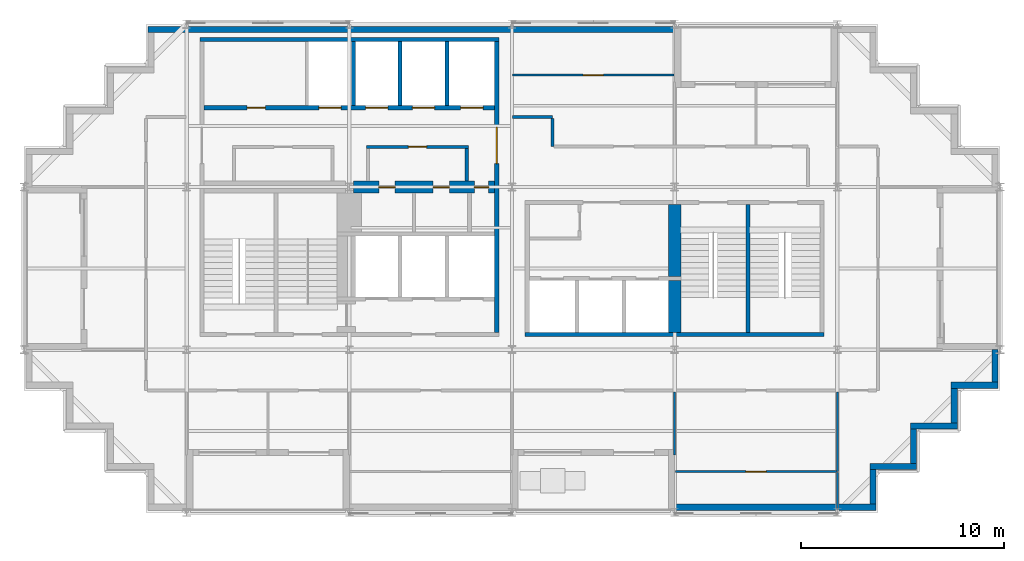
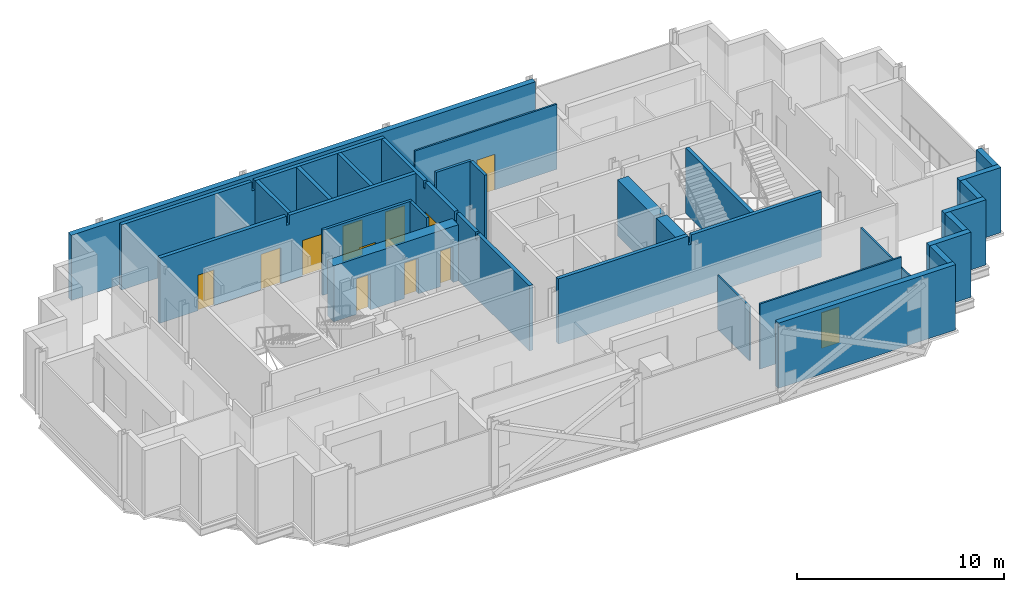
# One storey, part 6 of 10: 29 walls, 12 doors, 12 openings.
"""IFC4 building model written with IfcOpenShell, lengths in metres."""

from ifc_helpers import new_model, si_unit, direction, frame, frame_2d, origin, place, context, subcontext, project, spatial, polyline, rectangle, outline, extrude, material, layer, layer_set, type_object, element, fill, save


model = new_model("IFC4")

# Units and contexts
model_context = context("Model", 3, precision=1e-05, world=origin(), true_north=direction((0.0, 1.0)))
body_context = subcontext(model_context, "Body", "Model", "MODEL_VIEW")
ifc_project = project(units=[si_unit("LENGTHUNIT", "METRE"), si_unit("AREAUNIT", "SQUARE_METRE"), si_unit("VOLUMEUNIT", "CUBIC_METRE"), si_unit("PLANEANGLEUNIT", "RADIAN"), si_unit("MASSUNIT", "GRAM", prefix="KILO")], contexts=[model_context])

# Site, building, storey
site_placement = place(None, origin())
site = spatial("IfcSite", under=ifc_project, at=site_placement, CompositionType="ELEMENT")
building_placement = place(site_placement, origin())
building = spatial("IfcBuilding", under=site, at=building_placement, Name="Immortelle Media Tower", CompositionType="ELEMENT")
storey_placement = place(building_placement, frame((0.0, 0.0, 263.0)))
storey = spatial("IfcBuildingStorey", under=building, at=storey_placement, Name="L57", CompositionType="ELEMENT", Elevation=263.0)

# Wall, openings, doors
ifc_material_1 = material(Name="Fire-rated masonry blockwork", Category="masonry")
ifc_layer_1 = layer(ifc_material_1, 0.60009765625)
ifc_layer_set_1 = layer_set([ifc_layer_1], Name="Fire-rated masonry blockwork")
wall_type_1 = type_object("IfcWallType", Name="Core grid-line wall 600", PredefinedType="PARTITIONING", material=ifc_layer_set_1)
wall_1_placement = place(storey_placement, frame((16.195556640625, 16.0, 0.0), z_axis=(0.0, 0.0, 1.0), x_axis=(1.0, 0.0, 0.0)))
wall_1 = element("IfcWall", 1, at=wall_1_placement, inside=storey, type_object=wall_type_1, Name="Core grid-line wall SW", PredefinedType="PARTITIONING", context=body_context, shape_type="SweptSolid", body=[
    extrude(rectangle(XDim=6.954345703125, YDim=0.60009765625, at=frame_2d((3.47705078125, 0.0))), origin(), (0.0, 0.0, 1.0), 3.30810546875),
])
opening_1_placement = place(wall_1_placement, frame((1.25439453125, 0.0, 0.0)))
opening_1 = element("IfcOpeningElement", 2, at=opening_1_placement, cuts=wall_1, Name="Opening X2-K010", PredefinedType="OPENING", context=body_context, shape_type="SweptSolid", body=[
    extrude(rectangle(XDim=0.800048828125, YDim=2.10009765625, at=frame_2d((0.39990234375, 1.050048828125))), frame((0.0, 0.31005859375, 0.0), z_axis=(0.0, -1.0, 0.0), x_axis=(1.0, 0.0, 0.0)), (0.0, 0.0, 1.0), 0.6201171875),
])
opening_2_placement = place(wall_1_placement, frame((4.7294921875, 0.0, 0.0), z_axis=(0.0, 0.0, 1.0), x_axis=(-1.0, 0.0, 0.0)))
opening_2 = element("IfcOpeningElement", 3, at=opening_2_placement, cuts=wall_1, Name="Opening X2-K015", PredefinedType="OPENING", context=body_context, shape_type="SweptSolid", body=[
    extrude(rectangle(XDim=0.800048828125, YDim=2.10009765625, at=frame_2d((0.39990234375, 1.050048828125))), frame((0.0, 0.31005859375, 0.0), z_axis=(0.0, -1.0, 0.0), x_axis=(1.0, 0.0, 0.0)), (0.0, 0.0, 1.0), 0.6201171875),
])
opening_3_placement = place(wall_1_placement, frame((6.654541015625, 0.0, 0.0), z_axis=(0.0, 0.0, 1.0), x_axis=(-1.0, 0.0, 0.0)))
opening_3 = element("IfcOpeningElement", 4, at=opening_3_placement, cuts=wall_1, Name="Opening X2-K018", PredefinedType="OPENING", context=body_context, shape_type="SweptSolid", body=[
    extrude(rectangle(XDim=0.699951171875, YDim=2.10009765625, at=frame_2d((0.35009765625, 1.050048828125))), frame((0.0, 0.31005859375, 0.0), z_axis=(0.0, -1.0, 0.0), x_axis=(1.0, 0.0, 0.0)), (0.0, 0.0, 1.0), 0.6201171875),
])
ifc_material_2 = material(Name="Galvanised steel door leaf and frame ASTM A653", Category="steel")
door_type_1 = type_object("IfcDoorType", Name="Service door 700 x 2100", OperationType="NOTDEFINED", PredefinedType="NOTDEFINED", material=ifc_material_2)
door_1_placement = place(opening_3_placement, origin())
door_1 = element("IfcDoor", 5, at=door_1_placement, inside=storey, type_object=door_type_1, Name="Service X2-K018", OperationType="SINGLE_SWING_RIGHT", OverallHeight=2.10009765625, OverallWidth=0.699951171875, PredefinedType="NOTDEFINED", context=body_context, shape_type="SweptSolid", body=[
    extrude(rectangle(XDim=0.699951171875, YDim=2.10009765625, at=frame_2d((0.35009765625, 1.050048828125))), frame((0.0, 0.02490234375, 0.0), z_axis=(0.0, -1.0, 0.0), x_axis=(1.0, 0.0, 0.0)), (0.0, 0.0, 1.0), 0.050048828125),
])
fill(opening_3, door_1)
ifc_material_3 = material(Name="Timber", Category="wood")
door_type_2 = type_object("IfcDoorType", Name="Toilet door 800 x 2100", OperationType="NOTDEFINED", PredefinedType="NOTDEFINED", material=ifc_material_3)
door_2_placement = place(opening_1_placement, origin())
door_2 = element("IfcDoor", 6, at=door_2_placement, inside=storey, type_object=door_type_2, Name="Toilet X2-K010", OperationType="SINGLE_SWING_LEFT", OverallHeight=2.10009765625, OverallWidth=0.800048828125, PredefinedType="NOTDEFINED", context=body_context, shape_type="SweptSolid", body=[
    extrude(rectangle(XDim=0.800048828125, YDim=2.10009765625, at=frame_2d((0.39990234375, 1.050048828125))), frame((0.0, 0.02490234375, 0.0), z_axis=(0.0, -1.0, 0.0), x_axis=(1.0, 0.0, 0.0)), (0.0, 0.0, 1.0), 0.050048828125),
])
fill(opening_1, door_2)
door_3_placement = place(opening_2_placement, origin())
door_3 = element("IfcDoor", 7, at=door_3_placement, inside=storey, type_object=door_type_2, Name="Toilet X2-K015", OperationType="SINGLE_SWING_LEFT", OverallHeight=2.10009765625, OverallWidth=0.800048828125, PredefinedType="NOTDEFINED", context=body_context, shape_type="SweptSolid", body=[
    extrude(rectangle(XDim=0.800048828125, YDim=2.10009765625, at=frame_2d((0.39990234375, 1.050048828125))), frame((0.0, 0.02490234375, 0.0), z_axis=(0.0, -1.0, 0.0), x_axis=(1.0, 0.0, 0.0)), (0.0, 0.0, 1.0), 0.050048828125),
])
fill(opening_2, door_3)

# Wall, opening, door
ifc_material_4 = material(Name="Fire-rated gypsum board", Category="gypsum")
ifc_layer_2 = layer(ifc_material_4, 0.02490234375)
ifc_material_5 = material(Name="Steel ASTM A653 SS Gr 50 stud frame with mineral wool", Category="steel")
ifc_layer_3 = layer(ifc_material_5, 0.10009765625)
ifc_layer_4 = layer(ifc_material_4, 0.02490234375)
ifc_layer_set_2 = layer_set([ifc_layer_2, ifc_layer_3, ifc_layer_4], Name="Steel ASTM A653 SS Gr 50 stud frame with mineral wool")
wall_type_2 = type_object("IfcWallType", Name="Core partition 150", PredefinedType="PARTITIONING", material=ifc_layer_set_2)
wall_2_placement = place(storey_placement, frame((16.85009765625, 17.97509765625, 0.0), z_axis=(0.0, 0.0, 1.0), x_axis=(1.0, 0.0, 0.0)))
wall_2 = element("IfcWall", 8, at=wall_2_placement, inside=storey, type_object=wall_type_2, Name="Core partition SW", PredefinedType="PARTITIONING", context=body_context, shape_type="SweptSolid", body=[
    extrude(rectangle(XDim=5.0, YDim=0.14990234375, at=frame_2d((2.5, 0.0))), origin(), (0.0, 0.0, 1.0), 3.85009765625),
])
opening_4_placement = place(wall_2_placement, frame((2.949951171875, 0.0, 0.0), z_axis=(0.0, 0.0, 1.0), x_axis=(-1.0, 0.0, 0.0)))
opening_4 = element("IfcOpeningElement", 9, at=opening_4_placement, cuts=wall_2, Name="Opening X2-K011", PredefinedType="OPENING", context=body_context, shape_type="SweptSolid", body=[
    extrude(rectangle(XDim=0.89990234375, YDim=2.10009765625, at=frame_2d((0.449951171875, 1.050048828125))), frame((0.0, 0.0849609375, 0.0), z_axis=(0.0, -1.0, 0.0), x_axis=(1.0, 0.0, 0.0)), (0.0, 0.0, 1.0), 0.169921875),
])
door_type_3 = type_object("IfcDoorType", Name="Room door 900 x 2100", OperationType="NOTDEFINED", PredefinedType="NOTDEFINED", material=ifc_material_3)
door_4_placement = place(opening_4_placement, origin())
door_4 = element("IfcDoor", 10, at=door_4_placement, inside=storey, type_object=door_type_3, Name="Room X2-K011", OperationType="SINGLE_SWING_RIGHT", OverallHeight=2.10009765625, OverallWidth=0.89990234375, PredefinedType="NOTDEFINED", context=body_context, shape_type="SweptSolid", body=[
    extrude(rectangle(XDim=0.89990234375, YDim=2.10009765625, at=frame_2d((0.449951171875, 1.050048828125))), frame((0.0, 0.02490234375, 0.0), z_axis=(0.0, -1.0, 0.0), x_axis=(1.0, 0.0, 0.0)), (0.0, 0.0, 1.0), 0.050048828125),
])
fill(opening_4, door_4)

# Walls
wall_3_placement = place(storey_placement, frame((21.77490234375, 16.300048828125, 0.0), z_axis=(0.0, 0.0, 1.0), x_axis=(0.0, 1.0, 0.0)))
element("IfcWall", 11, at=wall_3_placement, inside=storey, type_object=wall_type_2, Name="Core partition SW", PredefinedType="PARTITIONING", context=body_context, shape_type="SweptSolid", body=[
    extrude(rectangle(XDim=1.599853515625, YDim=0.14990234375, at=frame_2d((0.7998046875, 0.0))), origin(), (0.0, 0.0, 1.0), 3.85009765625),
])
ifc_layer_5 = layer(ifc_material_4, 0.03759765625)
ifc_layer_6 = layer(ifc_material_5, 0.125)
ifc_layer_7 = layer(ifc_material_4, 0.03759765625)
ifc_layer_set_3 = layer_set([ifc_layer_5, ifc_layer_6, ifc_layer_7], Name="Steel ASTM A653 SS Gr 50 stud frame with mineral wool")
wall_type_3 = type_object("IfcWallType", Name="Core shaft wall 200", PredefinedType="PARTITIONING", material=ifc_layer_set_3)
wall_4_placement = place(storey_placement, frame((8.64990234375, 23.25, 0.0), z_axis=(0.0, 0.0, 1.0), x_axis=(1.0, 0.0, 0.0)))
element("IfcWall", 12, at=wall_4_placement, inside=storey, type_object=wall_type_3, Name="Core shaft wall SW", PredefinedType="PARTITIONING", context=body_context, shape_type="SweptSolid", body=[
    extrude(outline(polyline([(0.0, 0.0), (14.7001953125, 0.0), (14.699951171875, 3.85009765625), (7.4384765625, 3.85009765625), (7.4375, 3.30810546875), (7.262451171875, 3.30810546875), (7.261474609375, 3.85009765625), (0.0, 3.85009765625), (0.0, 0.0)])), frame((0.0, 0.10009765625, 0.0), z_axis=(0.0, -1.0, 0.0), x_axis=(1.0, 0.0, 0.0)), (0.0, 0.0, 1.0), 0.199951171875),
])

# Wall, openings, doors
wall_5_placement = place(storey_placement, frame((8.85009765625, 19.89990234375, 0.0), z_axis=(0.0, 0.0, 1.0), x_axis=(1.0, 0.0, 0.0)))
wall_5 = element("IfcWall", 13, at=wall_5_placement, inside=storey, type_object=wall_type_3, Name="Core shaft wall SW", PredefinedType="PARTITIONING", context=body_context, shape_type="SweptSolid", body=[
    extrude(outline(polyline([(0.0, 0.0), (14.2998046875, 0.0), (14.300048828125, 3.85009765625), (7.238525390625, 3.85009765625), (7.237548828125, 3.30810546875), (7.0625, 3.30810546875), (7.0615234375, 3.85009765625), (0.0, 3.85009765625), (0.0, 0.0)])), frame((0.0, 0.10009765625, 0.0), z_axis=(0.0, -1.0, 0.0), x_axis=(1.0, 0.0, 0.0)), (0.0, 0.0, 1.0), 0.199951171875),
])
opening_5_placement = place(wall_5_placement, frame((2.125, 0.0, 0.0)))
opening_5 = element("IfcOpeningElement", 14, at=opening_5_placement, cuts=wall_5, Name="Opening X2-K003", PredefinedType="OPENING", context=body_context, shape_type="SweptSolid", body=[
    extrude(rectangle(XDim=0.89990234375, YDim=2.10009765625, at=frame_2d((0.449951171875, 1.050048828125))), frame((0.0, 0.10986328125, 0.0), z_axis=(0.0, -1.0, 0.0), x_axis=(1.0, 0.0, 0.0)), (0.0, 0.0, 1.0), 0.219970703125),
])
opening_6_placement = place(wall_5_placement, frame((5.64990234375, 0.0, 0.0)))
opening_6 = element("IfcOpeningElement", 15, at=opening_6_placement, cuts=wall_5, Name="Opening LD", PredefinedType="OPENING", context=body_context, shape_type="SweptSolid", body=[
    extrude(rectangle(XDim=1.10009765625, YDim=2.10009765625, at=frame_2d((0.550048828125, 1.050048828125))), frame((0.0, 0.10986328125, 0.0), z_axis=(0.0, -1.0, 0.0), x_axis=(1.0, 0.0, 0.0)), (0.0, 0.0, 1.0), 0.219970703125),
])
opening_7_placement = place(wall_5_placement, frame((7.949951171875, 0.0, 0.0)))
opening_7 = element("IfcOpeningElement", 16, at=opening_7_placement, cuts=wall_5, Name="Opening LD", PredefinedType="OPENING", context=body_context, shape_type="SweptSolid", body=[
    extrude(rectangle(XDim=1.10009765625, YDim=2.10009765625, at=frame_2d((0.550048828125, 1.050048828125))), frame((0.0, 0.10986328125, 0.0), z_axis=(0.0, -1.0, 0.0), x_axis=(1.0, 0.0, 0.0)), (0.0, 0.0, 1.0), 0.219970703125),
])
opening_8_placement = place(wall_5_placement, frame((10.25, 0.0, 0.0)))
opening_8 = element("IfcOpeningElement", 17, at=opening_8_placement, cuts=wall_5, Name="Opening LD", PredefinedType="OPENING", context=body_context, shape_type="SweptSolid", body=[
    extrude(rectangle(XDim=1.10009765625, YDim=2.10009765625, at=frame_2d((0.550048828125, 1.050048828125))), frame((0.0, 0.10986328125, 0.0), z_axis=(0.0, -1.0, 0.0), x_axis=(1.0, 0.0, 0.0)), (0.0, 0.0, 1.0), 0.219970703125),
])
opening_9_placement = place(wall_5_placement, frame((12.625, 0.0, 0.0)))
opening_9 = element("IfcOpeningElement", 18, at=opening_9_placement, cuts=wall_5, Name="Opening LD", PredefinedType="OPENING", context=body_context, shape_type="SweptSolid", body=[
    extrude(rectangle(XDim=1.10009765625, YDim=2.10009765625, at=frame_2d((0.550048828125, 1.050048828125))), frame((0.0, 0.10986328125, 0.0), z_axis=(0.0, -1.0, 0.0), x_axis=(1.0, 0.0, 0.0)), (0.0, 0.0, 1.0), 0.219970703125),
])
ifc_material_6 = material(Name="Stainless steel AISI 304", Category="steel")
door_type_4 = type_object("IfcDoorType", Name="Landing door 1100 x 2100", OperationType="SLIDING_TO_LEFT", PredefinedType="NOTDEFINED", material=ifc_material_6)
door_5_placement = place(opening_6_placement, origin())
door_5 = element("IfcDoor", 19, at=door_5_placement, inside=storey, type_object=door_type_4, Name="Landing door HR1 L57", OperationType="SLIDING_TO_LEFT", OverallHeight=2.10009765625, OverallWidth=1.10009765625, PredefinedType="NOTDEFINED", context=body_context, shape_type="SweptSolid", body=[
    extrude(rectangle(XDim=1.10009765625, YDim=2.10009765625, at=frame_2d((0.550048828125, 1.050048828125))), frame((0.0, 0.02490234375, 0.0), z_axis=(0.0, -1.0, 0.0), x_axis=(1.0, 0.0, 0.0)), (0.0, 0.0, 1.0), 0.050048828125),
])
fill(opening_6, door_5)
door_6_placement = place(opening_7_placement, origin())
door_6 = element("IfcDoor", 20, at=door_6_placement, inside=storey, type_object=door_type_4, Name="Landing door HR2 L57", OperationType="SLIDING_TO_LEFT", OverallHeight=2.10009765625, OverallWidth=1.10009765625, PredefinedType="NOTDEFINED", context=body_context, shape_type="SweptSolid", body=[
    extrude(rectangle(XDim=1.10009765625, YDim=2.10009765625, at=frame_2d((0.550048828125, 1.050048828125))), frame((0.0, 0.02490234375, 0.0), z_axis=(0.0, -1.0, 0.0), x_axis=(1.0, 0.0, 0.0)), (0.0, 0.0, 1.0), 0.050048828125),
])
fill(opening_7, door_6)
door_7_placement = place(opening_8_placement, origin())
door_7 = element("IfcDoor", 21, at=door_7_placement, inside=storey, type_object=door_type_4, Name="Landing door HR3 L57", OperationType="SLIDING_TO_LEFT", OverallHeight=2.10009765625, OverallWidth=1.10009765625, PredefinedType="NOTDEFINED", context=body_context, shape_type="SweptSolid", body=[
    extrude(rectangle(XDim=1.10009765625, YDim=2.10009765625, at=frame_2d((0.550048828125, 1.050048828125))), frame((0.0, 0.02490234375, 0.0), z_axis=(0.0, -1.0, 0.0), x_axis=(1.0, 0.0, 0.0)), (0.0, 0.0, 1.0), 0.050048828125),
])
fill(opening_8, door_7)
door_8_placement = place(opening_9_placement, origin())
door_8 = element("IfcDoor", 22, at=door_8_placement, inside=storey, type_object=door_type_4, Name="Landing door HR4 L57", OperationType="SLIDING_TO_LEFT", OverallHeight=2.10009765625, OverallWidth=1.10009765625, PredefinedType="NOTDEFINED", context=body_context, shape_type="SweptSolid", body=[
    extrude(rectangle(XDim=1.10009765625, YDim=2.10009765625, at=frame_2d((0.550048828125, 1.050048828125))), frame((0.0, 0.02490234375, 0.0), z_axis=(0.0, -1.0, 0.0), x_axis=(1.0, 0.0, 0.0)), (0.0, 0.0, 1.0), 0.050048828125),
])
fill(opening_9, door_8)
door_9_placement = place(opening_5_placement, origin())
door_9 = element("IfcDoor", 23, at=door_9_placement, inside=storey, type_object=door_type_3, Name="Room X2-K003", OperationType="SINGLE_SWING_RIGHT", OverallHeight=2.10009765625, OverallWidth=0.89990234375, PredefinedType="NOTDEFINED", context=body_context, shape_type="SweptSolid", body=[
    extrude(rectangle(XDim=0.89990234375, YDim=2.10009765625, at=frame_2d((0.449951171875, 1.050048828125))), frame((0.0, 0.02490234375, 0.0), z_axis=(0.0, -1.0, 0.0), x_axis=(1.0, 0.0, 0.0)), (0.0, 0.0, 1.0), 0.050048828125),
])
fill(opening_5, door_9)

# Walls
for number, where, z_axis, x_axis, name in (
    (24, (16.199951171875, 20.0, 0.0), (0.0, 0.0, 1.0), (0.0, 1.0, 0.0), "Core shaft wall SW"),
    (25, (18.5, 20.0, 0.0), (0.0, 0.0, 1.0), (0.0, 1.0, 0.0), "Core shaft wall SW"),
    (26, (20.800048828125, 20.0, 0.0), (0.0, 0.0, 1.0), (0.0, 1.0, 0.0), "Core shaft wall SW"),
):
    element("IfcWall", number, at=place(storey_placement, frame(where, z_axis=z_axis, x_axis=x_axis)), inside=storey, type_object=wall_type_3, Name=name, PredefinedType="PARTITIONING", context=body_context, shape_type="SweptSolid", body=[
        extrude(rectangle(XDim=3.14990234375, YDim=0.199951171875, at=frame_2d((1.574951171875, 0.0))), origin(), (0.0, 0.0, 1.0), 3.85009765625),
    ])

# Wall, opening, door
wall_6_placement = place(storey_placement, frame((23.25, 8.85009765625, 0.0), z_axis=(0.0, 0.0, 1.0), x_axis=(0.0, 1.0, 0.0)))
wall_6 = element("IfcWall", 27, at=wall_6_placement, inside=storey, type_object=wall_type_3, Name="Core shaft wall SW", PredefinedType="PARTITIONING", context=body_context, shape_type="SweptSolid", body=[
    extrude(outline(polyline([(0.0, 0.0), (14.2998046875, 0.0), (14.300048828125, 3.85009765625), (10.22509765625, 3.85009765625), (10.22412109375, 3.43994140625), (10.075927734375, 3.43994140625), (10.074951171875, 3.85009765625), (7.238525390625, 3.85009765625), (7.237548828125, 3.30810546875), (7.0625, 3.30810546875), (7.0615234375, 3.85009765625), (5.22509765625, 3.85009765625), (5.22412109375, 3.43994140625), (5.075927734375, 3.43994140625), (5.074951171875, 3.85009765625), (0.0, 3.85009765625), (0.0, 0.0)])), frame((0.0, 0.10009765625, 0.0), z_axis=(0.0, -1.0, 0.0), x_axis=(1.0, 0.0, 0.0)), (0.0, 0.0, 1.0), 0.199951171875),
])
opening_10_placement = place(wall_6_placement, frame((8.300048828125, 0.0, 0.0)))
opening_10 = element("IfcOpeningElement", 28, at=opening_10_placement, cuts=wall_6, Name="Opening X2-K019", PredefinedType="OPENING", context=body_context, shape_type="SweptSolid", body=[
    extrude(rectangle(XDim=1.800048828125, YDim=2.10009765625, at=frame_2d((0.89990234375, 1.050048828125))), frame((0.0, 0.10986328125, 0.0), z_axis=(0.0, -1.0, 0.0), x_axis=(1.0, 0.0, 0.0)), (0.0, 0.0, 1.0), 0.219970703125),
])
door_type_5 = type_object("IfcDoorType", Name="Lift lobby door 1800 x 2100", OperationType="DOUBLE_DOOR_SINGLE_SWING", PredefinedType="NOTDEFINED", material=ifc_material_2)
door_10_placement = place(opening_10_placement, origin())
door_10 = element("IfcDoor", 29, at=door_10_placement, inside=storey, type_object=door_type_5, Name="Lift lobby X2-K019", OperationType="DOUBLE_DOOR_SINGLE_SWING", OverallHeight=2.10009765625, OverallWidth=1.800048828125, PredefinedType="NOTDEFINED", context=body_context, shape_type="SweptSolid", body=[
    extrude(rectangle(XDim=1.800048828125, YDim=2.10009765625, at=frame_2d((0.89990234375, 1.050048828125))), frame((0.0, 0.02490234375, 0.0), z_axis=(0.0, -1.0, 0.0), x_axis=(1.0, 0.0, 0.0)), (0.0, 0.0, 1.0), 0.050048828125),
])
fill(opening_10, door_10)

# Walls
ifc_layer_8 = layer(ifc_material_4, 0.012451171875)
ifc_layer_9 = layer(ifc_material_5, 0.125)
ifc_layer_10 = layer(ifc_material_4, 0.012451171875)
ifc_layer_set_4 = layer_set([ifc_layer_8, ifc_layer_9, ifc_layer_10], Name="Steel ASTM A653 SS Gr 50 stud frame with mineral wool")
wall_type_4 = type_object("IfcWallType", Name="Corridor wall 150", PredefinedType="PARTITIONING", material=ifc_layer_set_4)
wall_7_placement = place(storey_placement, frame((26.0, 18.0, 0.0), z_axis=(0.0, 0.0, 1.0), x_axis=(0.0, 1.0, 0.0)))
element("IfcWall", 30, at=wall_7_placement, inside=storey, type_object=wall_type_4, Name="Partition L57-020", PredefinedType="PARTITIONING", context=body_context, shape_type="SweptSolid", body=[
    extrude(rectangle(XDim=1.375, YDim=0.14990234375, at=frame_2d((0.6875, 0.0))), origin(), (0.0, 0.0, 1.0), 3.85009765625),
])
wall_8_placement = place(storey_placement, frame((24.030029296875, 19.449951171875, 0.0), z_axis=(0.0, 0.0, 1.0), x_axis=(1.0, 0.0, 0.0)))
element("IfcWall", 31, at=wall_8_placement, inside=storey, type_object=wall_type_4, Name="Partition L57-026", PredefinedType="PARTITIONING", context=body_context, shape_type="SweptSolid", body=[
    extrude(rectangle(XDim=1.969970703125, YDim=0.14990234375, at=frame_2d((0.98486328125, 0.0))), origin(), (0.0, 0.0, 1.0), 3.85009765625),
])
ifc_material_7 = material(Name="Pale aluminium cladding panel", Category="aluminium")
ifc_layer_11 = layer(ifc_material_7, 0.030029296875)
ifc_layer_12 = layer(ifc_material_5, 0.257568359375)
ifc_material_8 = material(Name="Moisture-resistant gypsum board", Category="gypsum")
ifc_layer_13 = layer(ifc_material_8, 0.012451171875)
ifc_layer_set_5 = layer_set([ifc_layer_11, ifc_layer_12, ifc_layer_13], Name="Steel ASTM A653 SS Gr 50 stud frame with mineral wool")
wall_type_5 = type_object("IfcWallType", Name="Facade wall 300", PredefinedType="SOLIDWALL", material=ifc_layer_set_5)
wall_9_placement = place(storey_placement, frame((32.0, 0.25, 0.0), z_axis=(0.0, 0.0, 1.0), x_axis=(1.0, 0.0, 0.0)))
element("IfcWall", 32, at=wall_9_placement, inside=storey, type_object=wall_type_5, Name="Facade wall L57 S6", PredefinedType="SOLIDWALL", context=body_context, shape_type="SweptSolid", body=[
    extrude(rectangle(XDim=9.89990234375, YDim=0.300048828125, at=frame_2d((4.949951171875, 0.0))), origin(), (0.0, 0.0, 1.0), 3.85009765625),
])
wall_10_placement = place(storey_placement, frame((41.75, 0.39990234375, 0.0), z_axis=(0.0, 0.0, 1.0), x_axis=(0.0, 1.0, 0.0)))
element("IfcWall", 33, at=wall_10_placement, inside=storey, type_object=wall_type_5, Name="Facade wall L57 E7", PredefinedType="SOLIDWALL", context=body_context, shape_type="SweptSolid", body=[
    extrude(rectangle(XDim=1.7001953125, YDim=0.300048828125, at=frame_2d((0.85009765625, 0.0))), origin(), (0.0, 0.0, 1.0), 3.85009765625),
])
wall_11_placement = place(storey_placement, frame((41.60009765625, 2.25, 0.0), z_axis=(0.0, 0.0, 1.0), x_axis=(1.0, 0.0, 0.0)))
element("IfcWall", 34, at=wall_11_placement, inside=storey, type_object=wall_type_5, Name="Facade wall L57 S8", PredefinedType="SOLIDWALL", context=body_context, shape_type="SweptSolid", body=[
    extrude(rectangle(XDim=2.2998046875, YDim=0.300048828125, at=frame_2d((1.14990234375, 0.0))), origin(), (0.0, 0.0, 1.0), 3.85009765625),
])
wall_12_placement = place(storey_placement, frame((43.75, 2.39990234375, 0.0), z_axis=(0.0, 0.0, 1.0), x_axis=(0.0, 1.0, 0.0)))
element("IfcWall", 35, at=wall_12_placement, inside=storey, type_object=wall_type_5, Name="Facade wall L57 E9", PredefinedType="SOLIDWALL", context=body_context, shape_type="SweptSolid", body=[
    extrude(rectangle(XDim=1.7001953125, YDim=0.300048828125, at=frame_2d((0.85009765625, 0.0))), origin(), (0.0, 0.0, 1.0), 3.85009765625),
])
wall_13_placement = place(storey_placement, frame((43.60009765625, 4.25, 0.0), z_axis=(0.0, 0.0, 1.0), x_axis=(1.0, 0.0, 0.0)))
element("IfcWall", 36, at=wall_13_placement, inside=storey, type_object=wall_type_5, Name="Facade wall L57 S10", PredefinedType="SOLIDWALL", context=body_context, shape_type="SweptSolid", body=[
    extrude(rectangle(XDim=2.2998046875, YDim=0.300048828125, at=frame_2d((1.14990234375, 0.0))), origin(), (0.0, 0.0, 1.0), 3.85009765625),
])
wall_14_placement = place(storey_placement, frame((45.75, 4.39990234375, 0.0), z_axis=(0.0, 0.0, 1.0), x_axis=(0.0, 1.0, 0.0)))
element("IfcWall", 37, at=wall_14_placement, inside=storey, type_object=wall_type_5, Name="Facade wall L57 E11", PredefinedType="SOLIDWALL", context=body_context, shape_type="SweptSolid", body=[
    extrude(rectangle(XDim=1.7001953125, YDim=0.300048828125, at=frame_2d((0.85009765625, 0.0))), origin(), (0.0, 0.0, 1.0), 3.85009765625),
])
wall_15_placement = place(storey_placement, frame((45.60009765625, 6.25, 0.0), z_axis=(0.0, 0.0, 1.0), x_axis=(1.0, 0.0, 0.0)))
element("IfcWall", 38, at=wall_15_placement, inside=storey, type_object=wall_type_5, Name="Facade wall L57 S12", PredefinedType="SOLIDWALL", context=body_context, shape_type="SweptSolid", body=[
    extrude(rectangle(XDim=2.2998046875, YDim=0.300048828125, at=frame_2d((1.14990234375, 0.0))), origin(), (0.0, 0.0, 1.0), 3.85009765625),
])
wall_16_placement = place(storey_placement, frame((47.75, 6.39990234375, 0.0), z_axis=(0.0, 0.0, 1.0), x_axis=(0.0, 1.0, 0.0)))
element("IfcWall", 39, at=wall_16_placement, inside=storey, type_object=wall_type_5, Name="Facade wall L57 E13", PredefinedType="SOLIDWALL", context=body_context, shape_type="SweptSolid", body=[
    extrude(rectangle(XDim=1.60009765625, YDim=0.300048828125, at=frame_2d((0.800048828125, 0.0))), origin(), (0.0, 0.0, 1.0), 3.85009765625),
])
wall_17_placement = place(storey_placement, frame((32.0, 23.75, 0.0), z_axis=(0.0, 0.0, 1.0), x_axis=(-1.0, 0.0, 0.0)))
element("IfcWall", 40, at=wall_17_placement, inside=storey, type_object=wall_type_5, Name="Facade wall L57 N20", PredefinedType="SOLIDWALL", context=body_context, shape_type="SweptSolid", body=[
    extrude(rectangle(XDim=25.89990234375, YDim=0.300048828125, at=frame_2d((12.949951171875, 0.0))), origin(), (0.0, 0.0, 1.0), 3.85009765625),
])
ifc_material_9 = material(Name="Gypsum board", Category="gypsum")
ifc_layer_14 = layer(ifc_material_9, 0.012451171875)
ifc_layer_15 = layer(ifc_material_5, 0.074951171875)
ifc_layer_16 = layer(ifc_material_9, 0.012451171875)
ifc_layer_set_6 = layer_set([ifc_layer_14, ifc_layer_15, ifc_layer_16], Name="Steel ASTM A653 SS Gr 50 stud frame with mineral wool")
wall_type_6 = type_object("IfcWallType", Name="Partition 100", PredefinedType="PARTITIONING", material=ifc_layer_set_6)
wall_18_placement = place(storey_placement, frame((40.0, 0.1298828125, 0.0), z_axis=(0.0, 0.0, 1.0), x_axis=(0.0, 1.0, 0.0)))
element("IfcWall", 41, at=wall_18_placement, inside=storey, type_object=wall_type_6, Name="Partition L57-001", PredefinedType="PARTITIONING", context=body_context, shape_type="SweptSolid", body=[
    extrude(rectangle(XDim=1.820068359375, YDim=0.10009765625, at=frame_2d((0.91015625, 0.0))), origin(), (0.0, 0.0, 1.0), 3.172119140625),
])

# Wall, opening, door
wall_19_placement = place(storey_placement, frame((32.030029296875, 2.0, 0.0), z_axis=(0.0, 0.0, 1.0), x_axis=(1.0, 0.0, 0.0)))
wall_19 = element("IfcWall", 42, at=wall_19_placement, inside=storey, type_object=wall_type_6, Name="Partition L57-003", PredefinedType="PARTITIONING", context=body_context, shape_type="SweptSolid", body=[
    extrude(rectangle(XDim=7.919921875, YDim=0.10009765625, at=frame_2d((3.9599609375, 0.0))), origin(), (0.0, 0.0, 1.0), 3.85009765625),
])
opening_11_placement = place(wall_19_placement, frame((3.469970703125, 0.0, 0.0)))
opening_11 = element("IfcOpeningElement", 43, at=opening_11_placement, cuts=wall_19, Name="Opening X2-F004", PredefinedType="OPENING", context=body_context, shape_type="SweptSolid", body=[
    extrude(rectangle(XDim=1.0, YDim=2.10009765625, at=frame_2d((0.5, 1.050048828125))), frame((0.0, 0.06005859375, 0.0), z_axis=(0.0, -1.0, 0.0), x_axis=(1.0, 0.0, 0.0)), (0.0, 0.0, 1.0), 0.1201171875),
])
ifc_material_10 = material(Name="Timber veneered door leaf, galvanised steel frame ASTM A653", Category="steel")
door_type_6 = type_object("IfcDoorType", Name="Room door 1000 x 2100", OperationType="NOTDEFINED", PredefinedType="DOOR", material=ifc_material_10)
door_11_placement = place(opening_11_placement, origin())
door_11 = element("IfcDoor", 44, at=door_11_placement, inside=storey, type_object=door_type_6, Name="Door X2-F004", OperationType="SINGLE_SWING_LEFT", OverallHeight=2.10009765625, OverallWidth=1.0, PredefinedType="DOOR", context=body_context, shape_type="SweptSolid", body=[
    extrude(rectangle(XDim=1.0, YDim=2.10009765625, at=frame_2d((0.5, 1.050048828125))), frame((0.0, 0.02490234375, 0.0), z_axis=(0.0, -1.0, 0.0), x_axis=(1.0, 0.0, 0.0)), (0.0, 0.0, 1.0), 0.050048828125),
])
fill(opening_11, door_11)

# Walls
wall_20_placement = place(storey_placement, frame((40.0, 2.0, 0.0), z_axis=(0.0, 0.0, 1.0), x_axis=(0.0, 1.0, 0.0)))
element("IfcWall", 45, at=wall_20_placement, inside=storey, type_object=wall_type_6, Name="Partition L57-004", PredefinedType="PARTITIONING", context=body_context, shape_type="SweptSolid", body=[
    extrude(rectangle(XDim=3.925048828125, YDim=0.10009765625, at=frame_2d((1.96240234375, 0.0))), origin(), (0.0, 0.0, 1.0), 3.172119140625),
])
wall_21_placement = place(storey_placement, frame((32.0, 2.830078125, 0.0), z_axis=(0.0, 0.0, 1.0), x_axis=(0.0, 1.0, 0.0)))
element("IfcWall", 46, at=wall_21_placement, inside=storey, type_object=wall_type_6, Name="Partition L57-009", PredefinedType="PARTITIONING", context=body_context, shape_type="SweptSolid", body=[
    extrude(rectangle(XDim=3.094970703125, YDim=0.10009765625, at=frame_2d((1.54736328125, 0.0))), origin(), (0.0, 0.0, 1.0), 3.172119140625),
])

# Wall, opening, door
wall_22_placement = place(storey_placement, frame((24.030029296875, 21.5, 0.0), z_axis=(0.0, 0.0, 1.0), x_axis=(1.0, 0.0, 0.0)))
wall_22 = element("IfcWall", 47, at=wall_22_placement, inside=storey, type_object=wall_type_6, Name="Partition L57-027", PredefinedType="PARTITIONING", context=body_context, shape_type="SweptSolid", body=[
    extrude(rectangle(XDim=7.93994140625, YDim=0.10009765625, at=frame_2d((3.969970703125, 0.0))), origin(), (0.0, 0.0, 1.0), 3.85009765625),
])
opening_12_placement = place(wall_22_placement, frame((3.469970703125, 0.0, 0.0)))
opening_12 = element("IfcOpeningElement", 48, at=opening_12_placement, cuts=wall_22, Name="Opening X2-F017", PredefinedType="OPENING", context=body_context, shape_type="SweptSolid", body=[
    extrude(rectangle(XDim=1.0, YDim=2.10009765625, at=frame_2d((0.5, 1.050048828125))), frame((0.0, 0.06005859375, 0.0), z_axis=(0.0, -1.0, 0.0), x_axis=(1.0, 0.0, 0.0)), (0.0, 0.0, 1.0), 0.1201171875),
])
door_12_placement = place(opening_12_placement, origin())
door_12 = element("IfcDoor", 49, at=door_12_placement, inside=storey, type_object=door_type_6, Name="Door X2-F017", OperationType="SINGLE_SWING_RIGHT", OverallHeight=2.10009765625, OverallWidth=1.0, PredefinedType="DOOR", context=body_context, shape_type="SweptSolid", body=[
    extrude(rectangle(XDim=1.0, YDim=2.10009765625, at=frame_2d((0.5, 1.050048828125))), frame((0.0, 0.02490234375, 0.0), z_axis=(0.0, -1.0, 0.0), x_axis=(1.0, 0.0, 0.0)), (0.0, 0.0, 1.0), 0.050048828125),
])
fill(opening_12, door_12)

# Walls
ifc_material_11 = material(Name="Concrete C60", Category="concrete")
ifc_layer_17 = layer(ifc_material_11, 0.199951171875)
ifc_layer_set_7 = layer_set([ifc_layer_17], Name="Concrete C60")
wall_type_7 = type_object("IfcWallType", Name="Stair shaft wall 200", PredefinedType="PARTITIONING", material=ifc_layer_set_7)
wall_23_placement = place(storey_placement, frame((24.64990234375, 8.75, 0.0), z_axis=(0.0, 0.0, 1.0), x_axis=(1.0, 0.0, 0.0)))
element("IfcWall", 50, at=wall_23_placement, inside=storey, type_object=wall_type_7, Name="Stair shaft wall SE", PredefinedType="PARTITIONING", context=body_context, shape_type="SweptSolid", body=[
    extrude(outline(polyline([(0.0, 0.0), (14.7001953125, 0.0), (14.699951171875, 3.85009765625), (7.4384765625, 3.85009765625), (7.4375, 3.30810546875), (7.262451171875, 3.30810546875), (7.261474609375, 3.85009765625), (0.0, 3.85009765625), (0.0, 0.0)])), frame((0.0, 0.10009765625, 0.0), z_axis=(0.0, -1.0, 0.0), x_axis=(1.0, 0.0, 0.0)), (0.0, 0.0, 1.0), 0.199951171875),
])
wall_24_placement = place(storey_placement, frame((35.60009765625, 8.85009765625, 0.0), z_axis=(0.0, 0.0, 1.0), x_axis=(0.0, 1.0, 0.0)))
element("IfcWall", 51, at=wall_24_placement, inside=storey, type_object=wall_type_7, Name="Stair shaft wall SE", PredefinedType="PARTITIONING", context=body_context, shape_type="SweptSolid", body=[
    extrude(rectangle(XDim=6.2998046875, YDim=0.199951171875, at=frame_2d((3.14990234375, 0.0))), origin(), (0.0, 0.0, 1.0), 3.85009765625),
])
ifc_layer_18 = layer(ifc_material_11, 0.60009765625)
ifc_layer_set_8 = layer_set([ifc_layer_18], Name="Concrete C60")
wall_type_8 = type_object("IfcWallType", Name="Stair shaft wall 600", PredefinedType="PARTITIONING", material=ifc_layer_set_8)
wall_25_placement = place(storey_placement, frame((32.0, 8.85009765625, 0.0), z_axis=(0.0, 0.0, 1.0), x_axis=(0.0, 1.0, 0.0)))
element("IfcWall", 52, at=wall_25_placement, inside=storey, type_object=wall_type_8, Name="Stair shaft wall SE", PredefinedType="PARTITIONING", context=body_context, shape_type="SweptSolid", body=[
    extrude(rectangle(XDim=2.5498046875, YDim=0.60009765625, at=frame_2d((1.27490234375, 0.0))), origin(), (0.0, 0.0, 1.0), 3.30810546875),
])
wall_26_placement = place(storey_placement, frame((32.0, 11.60009765625, 0.0), z_axis=(0.0, 0.0, 1.0), x_axis=(0.0, 1.0, 0.0)))
element("IfcWall", 53, at=wall_26_placement, inside=storey, type_object=wall_type_8, Name="Stair shaft wall SE", PredefinedType="PARTITIONING", context=body_context, shape_type="SweptSolid", body=[
    extrude(rectangle(XDim=3.5498046875, YDim=0.60009765625, at=frame_2d((1.77490234375, 0.0))), origin(), (0.0, 0.0, 1.0), 3.30810546875),
])

save(model, "model.ifc")
